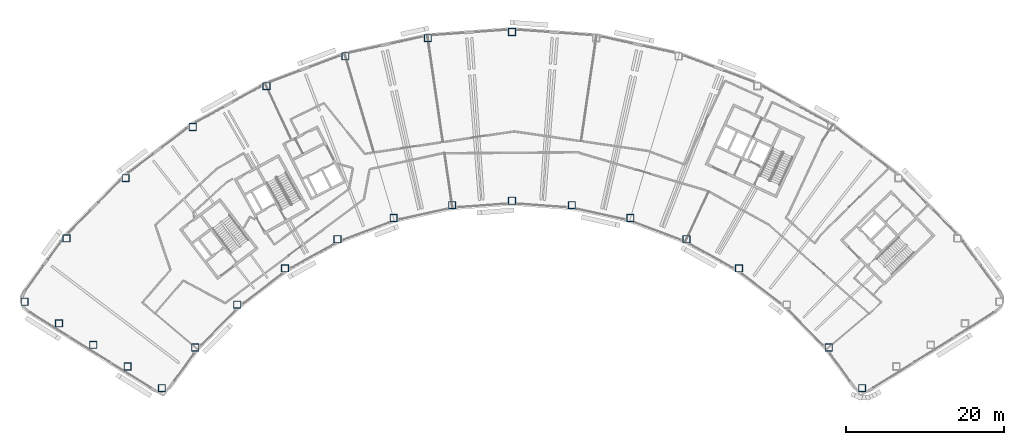
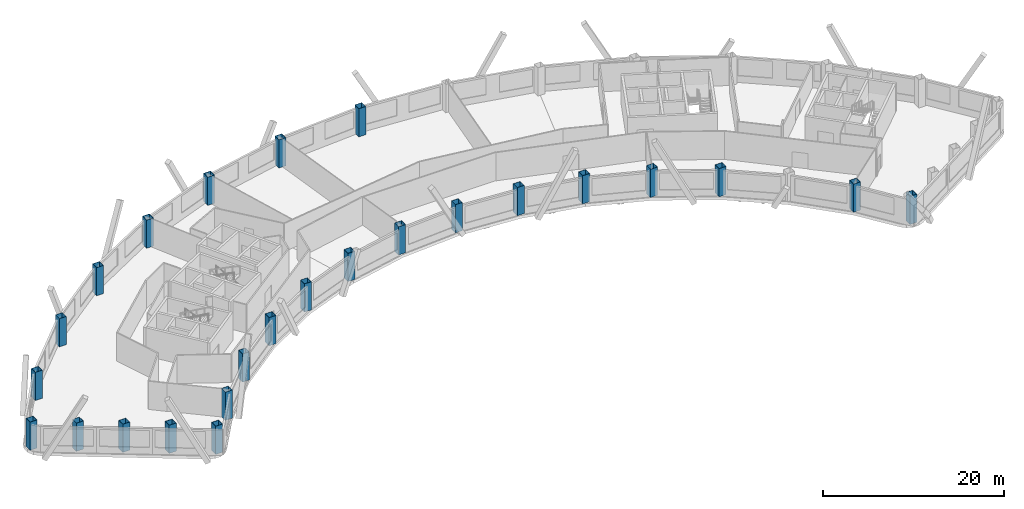
# One storey, part 1 of 12: 25 columns.
"""IFC4 building model written with IfcOpenShell, lengths in metres."""

import ifcopenshell
import ifcopenshell.guid

model = None  # the IFC model being written
_history = None  # IfcOwnerHistory: only IFC2X3 demands one
_inside = {}  # id of a spatial element -> (the spatial element, [elements in it])
_under = {}  # id of a project, library or spatial element -> (it, [spatial elements below it])
_declared = {}  # id of a project -> (the project, [libraries it declares])
_typed = {}  # id of a type object -> (the type object, [elements of that type])
_made_of = {}  # id of a material, layer set ... -> (it, [elements and type objects made of it])


def new_model(schema):
    """Start an empty IFC model of exactly this schema.

    Asked for "IFC4X3", IfcOpenShell would pick the latest addendum, in which some entities
    have other attributes; the version numbers below select the first issue.
    IFC2X3 requires an IfcOwnerHistory on every rooted entity: one is made here for all.
    """
    global model, _history
    if schema == "IFC4X3":
        model = ifcopenshell.file(schema_version=(4, 3, 0, 0))
    else:
        model = ifcopenshell.file(schema=schema)
    _inside.clear()
    _under.clear()
    _declared.clear()
    _typed.clear()
    _made_of.clear()
    _history = None
    if model.schema == "IFC2X3":
        org = make("IfcOrganization", Name="unknown")
        user = make(
            "IfcPersonAndOrganization",
            ThePerson=make("IfcPerson", FamilyName="unknown"),
            TheOrganization=org,
        )
        app = make(
            "IfcApplication",
            ApplicationDeveloper=org,
            Version="unknown",
            ApplicationFullName="unknown",
            ApplicationIdentifier="unknown",
        )
        _history = make(
            "IfcOwnerHistory",
            OwningUser=user,
            OwningApplication=app,
            ChangeAction="ADDED",
            CreationDate=0,
        )
    return model


def make(cls, **values):
    """One entity of the class cls with the attributes given. An attribute that is None is left unset."""
    return model.create_entity(
        cls, **{name: value for name, value in values.items() if value is not None}
    )


def rooted(cls, **values):
    """An entity with a GlobalId (a new one), such as an element, a storey or a relation."""
    return make(cls, GlobalId=ifcopenshell.guid.new(), OwnerHistory=_history, **values)


def si_unit(unit_type, name, prefix=None):
    """IfcSIUnit, for example si_unit("LENGTHUNIT", "METRE", prefix="MILLI")."""
    return make("IfcSIUnit", UnitType=unit_type, Prefix=prefix, Name=name)


def assignment(units):
    """IfcUnitAssignment: the units of a project."""
    return None if units is None else make("IfcUnitAssignment", Units=units)


def point(xyz):
    """IfcCartesianPoint."""
    return None if xyz is None else make("IfcCartesianPoint", Coordinates=xyz)


def direction(xyz):
    """IfcDirection."""
    return None if xyz is None else make("IfcDirection", DirectionRatios=xyz)


def frame(location, z_axis=None, x_axis=None):
    """IfcAxis2Placement3D, a coordinate frame: its origin and axes. An axis left out is left unset."""
    return make(
        "IfcAxis2Placement3D",
        Location=point(location),
        Axis=direction(z_axis),
        RefDirection=direction(x_axis),
    )


def frame_2d(location, x_axis=None):
    """IfcAxis2Placement2D, a coordinate frame in the plane: its origin and x axis."""
    return make(
        "IfcAxis2Placement2D", Location=point(location), RefDirection=direction(x_axis)
    )


def origin():
    """The frame at (0, 0, 0) with its axes left unset."""
    return frame((0.0, 0.0, 0.0))


def origin_2d():
    """The frame at (0, 0) in the plane with its x axis left unset."""
    return frame_2d((0.0, 0.0))


def place(relative_to, where):
    """IfcLocalPlacement: puts the frame where relative to a parent placement (None: the world)."""
    return make(
        "IfcLocalPlacement", PlacementRelTo=relative_to, RelativePlacement=where
    )


def context(
    kind, dimensions, precision=None, world=None, true_north=None, identifier=None
):
    """IfcGeometricRepresentationContext, for example the 3D "Model" context."""
    return make(
        "IfcGeometricRepresentationContext",
        ContextIdentifier=identifier,
        ContextType=kind,
        CoordinateSpaceDimension=dimensions,
        Precision=precision,
        WorldCoordinateSystem=world,
        TrueNorth=true_north,
    )


def subcontext(parent, identifier, kind, view, scale=None):
    """IfcGeometricRepresentationSubContext, for example "Body" below "Model"."""
    return make(
        "IfcGeometricRepresentationSubContext",
        ContextIdentifier=identifier,
        ContextType=kind,
        ParentContext=parent,
        TargetScale=scale,
        TargetView=view,
    )


def project(units=None, contexts=None):
    """IfcProject with its units and contexts."""
    return rooted(
        "IfcProject",
        Name="project",
        RepresentationContexts=contexts,
        UnitsInContext=assignment(units),
    )


def spatial(cls, under=None, at=None, **own):
    """A site, building, storey or space (cls), placed at a placement, below another one or the project."""
    s = rooted(cls, ObjectPlacement=at, **own)
    if under is not None:
        _under.setdefault(under.id(), (under, []))[1].append(s)
    return s


def profile(cls, at=None, kind="AREA", **sizes):
    """A parametric profile (cls). Its sizes go by their IFC names, for example OverallWidth=200.0."""
    return make(cls, ProfileType=kind, Position=at, **sizes)


def hollow_rectangle(**sizes):
    """IfcRectangleHollowProfileDef."""
    return profile("IfcRectangleHollowProfileDef", **sizes)


def extrude(swept, where, along, depth):
    """IfcExtrudedAreaSolid: the profile swept, set in the frame where, extruded along a direction by depth."""
    return make(
        "IfcExtrudedAreaSolid",
        SweptArea=swept,
        Position=where,
        ExtrudedDirection=direction(along),
        Depth=depth,
    )


def shape(context_of_items, identifier, shape_type, items):
    """IfcShapeRepresentation: the items that make up one representation, for example the "Body"."""
    return make(
        "IfcShapeRepresentation",
        ContextOfItems=context_of_items,
        RepresentationIdentifier=identifier,
        RepresentationType=shape_type,
        Items=items,
    )


def material(Name=None, Category=None):
    """IfcMaterial."""
    return make("IfcMaterial", Name=Name, Category=Category)


def material_profile(
    of_material, cross_section, Name=None, Category=None, Priority=None
):
    """IfcMaterialProfile: a cross section and its material."""
    return make(
        "IfcMaterialProfile",
        Name=Name,
        Material=of_material,
        Profile=cross_section,
        Priority=Priority,
        Category=Category,
    )


def profile_set(profiles, Name=None, composite=None):
    """IfcMaterialProfileSet."""
    return make(
        "IfcMaterialProfileSet",
        Name=Name,
        MaterialProfiles=profiles,
        CompositeProfile=composite,
    )


def made_of(thing, what):
    """Note that an element or type object is made of a material, layer set ...; save() writes the relation."""
    if what is not None:
        _made_of.setdefault(what.id(), (what, []))[1].append(thing)
    return thing


def type_object(cls, material=None, **own):
    """A type object (cls), such as IfcWallType, which elements share."""
    return made_of(rooted(cls, **own), material)


def element(
    cls,
    number,
    at=None,
    inside=None,
    cuts=None,
    type_object=None,
    material=None,
    context=None,
    identifier="Body",
    shape_type=None,
    held_by="IfcProductDefinitionShape",
    body=None,
    shapes=None,
    **own,
):
    """One element of the class cls, such as IfcWall. Its Tag is "e" and its number.

    at: its placement. inside: the storey or other place that contains it. cuts: it is an
    opening in that element (IfcRelVoidsElement). A single representation is given by context,
    identifier, shape_type and body (its items); several are given by shapes. held_by: the class
    of the entity that holds the representations. save() writes the other relations.
    """
    e = rooted(cls, Tag="e%d" % number, ObjectPlacement=at, **own)
    if body is not None:
        shapes = [shape(context, identifier, shape_type, body)]
    if shapes is not None:
        e.Representation = make(held_by, Representations=shapes)
    if inside is not None:
        _inside.setdefault(inside.id(), (inside, []))[1].append(e)
    if cuts is not None:
        rooted(
            "IfcRelVoidsElement", RelatingBuildingElement=cuts, RelatedOpeningElement=e
        )
    if type_object is not None:
        _typed.setdefault(type_object.id(), (type_object, []))[1].append(e)
    return made_of(e, material)


def aggregate(whole, parts):
    """IfcRelAggregates: a whole, such as a stair, and the parts it consists of."""
    return rooted("IfcRelAggregates", RelatingObject=whole, RelatedObjects=parts)


def save(model, path):
    """Write the relations noted so far, then the file.

    IfcRelAggregates (storeys below a building ...), IfcRelContainedInSpatialStructure (elements
    in a storey), IfcRelDefinesByType, IfcRelAssociatesMaterial and IfcRelDeclares: one each for
    every whole, place, type object, material and project.
    """
    for whole, parts in _under.values():
        aggregate(whole, parts)
    for where, things in _inside.values():
        rooted(
            "IfcRelContainedInSpatialStructure",
            RelatedElements=things,
            RelatingStructure=where,
        )
    for kind, things in _typed.values():
        rooted("IfcRelDefinesByType", RelatedObjects=things, RelatingType=kind)
    for what, things in _made_of.values():
        rooted("IfcRelAssociatesMaterial", RelatedObjects=things, RelatingMaterial=what)
    for by, libraries in _declared.values():
        rooted("IfcRelDeclares", RelatingContext=by, RelatedDefinitions=libraries)
    model.write(path)


model = new_model("IFC4")

# Units and contexts
model_context = context("Model", 3, precision=1e-05, world=origin(), true_north=direction((0.0, 1.0)))
body_context = subcontext(model_context, "Body", "Model", "MODEL_VIEW")
ifc_project = project(units=[si_unit("LENGTHUNIT", "METRE"), si_unit("AREAUNIT", "SQUARE_METRE"), si_unit("VOLUMEUNIT", "CUBIC_METRE"), si_unit("PLANEANGLEUNIT", "RADIAN"), si_unit("MASSUNIT", "GRAM", prefix="KILO")], contexts=[model_context])

# Site, building, storey
site_placement = place(None, origin())
site = spatial("IfcSite", under=ifc_project, at=site_placement, CompositionType="ELEMENT")
building_placement = place(site_placement, origin())
building = spatial("IfcBuilding", under=site, at=building_placement, Name="Tuul Gate Civic Tower", CompositionType="ELEMENT")
storey_placement = place(building_placement, frame((0.0, 0.0, 172.10009765625)))
storey = spatial("IfcBuildingStorey", under=building, at=storey_placement, Name="Level 39", CompositionType="ELEMENT", Elevation=172.10009765625)

# Columns
ifc_material = material(Name="Steel S355", Category="steel")
ifc_material_profile = material_profile(ifc_material, hollow_rectangle(XDim=0.89990234375, YDim=0.89990234375, WallThickness=0.031982421875, at=origin_2d()), Name="BOX900x900x32")
ifc_profile_set = profile_set([ifc_material_profile], Name="Steel S355")
column_type = type_object("IfcColumnType", Name="STR-COLUMN-BOX900x900x32", PredefinedType="COLUMN", material=ifc_profile_set)
for number, where, z_axis, x_axis, name in (
    (1, (0.989990234375, 13.615966796875, 0.0), (0.0, 0.0, 1.0), (1.0, 0.0, 0.0), "Column"),
    (2, (-9.659912109375, 12.843994140625, 0.0), (0.0, 0.0, 1.0), (1.0, 0.0, 0.0), "Column"),
    (3, (-20.0869140625, 10.5458984375, 0.0), (0.0, 0.0, 1.0), (1.0, 0.0, 0.0), "Column"),
    (4, (-30.073974609375, 6.77001953125, 0.0), (0.0, 0.0, 1.0), (1.0, 0.0, 0.0), "Column"),
    (5, (-39.412109375, 1.593017578125, 0.0), (0.0, 0.0, 1.0), (1.0, 0.0, 0.0), "Column"),
    (6, (-47.907958984375, -4.875, 0.0), (0.0, 0.0, 1.0), (1.0, 0.0, 0.0), "Column"),
    (7, (-55.382080078125, -12.5, 0.0), (0.0, 0.0, 1.0), (1.0, 0.0, 0.0), "Column"),
    (8, (-60.680908203125, -20.512939453125, 0.0), (0.0, 0.0, 1.0), (1.0, 0.0, 0.0), "Column"),
    (9, (-56.339111328125, -23.2470703125, 0.0), (0.0, 0.0, 1.0), (1.0, 0.0, 0.0), "Column"),
    (10, (-51.99609375, -25.98193359375, 0.0), (0.0, 0.0, 1.0), (1.0, 0.0, 0.0), "Column"),
    (11, (-47.654052734375, -28.716064453125, 0.0), (0.0, 0.0, 1.0), (1.0, 0.0, 0.0), "Column"),
    (12, (-43.31103515625, -31.450927734375, 0.0), (0.0, 0.0, 1.0), (1.0, 0.0, 0.0), "Column"),
    (13, (-39.091064453125, -26.30908203125, 0.0), (0.0, 0.0, 1.0), (1.0, 0.0, 0.0), "Column"),
    (14, (-33.777099609375, -20.886962890625, 0.0), (0.0, 0.0, 1.0), (1.0, 0.0, 0.0), "Column"),
    (15, (-27.737060546875, -16.2880859375, 0.0), (0.0, 0.0, 1.0), (1.0, 0.0, 0.0), "Column"),
    (16, (-21.096923828125, -12.60791015625, 0.0), (0.0, 0.0, 1.0), (1.0, 0.0, 0.0), "Column"),
    (17, (-13.99609375, -9.923095703125, 0.0), (0.0, 0.0, 1.0), (1.0, 0.0, 0.0), "Column"),
    (18, (-6.58203125, -8.2890625, 0.0), (0.0, 0.0, 1.0), (1.0, 0.0, 0.0), "Column"),
    (19, (0.989990234375, -7.739990234375, 0.0), (0.0, 0.0, 1.0), (1.0, 0.0, 0.0), "Column"),
    (20, (8.56201171875, -8.2890625, 0.0), (0.0, 0.0, 1.0), (1.0, 0.0, 0.0), "Column"),
    (21, (15.97607421875, -9.923095703125, 0.0), (0.0, 0.0, 1.0), (1.0, 0.0, 0.0), "Column"),
    (22, (23.076904296875, -12.60791015625, 0.0), (0.0, 0.0, 1.0), (1.0, 0.0, 0.0), "Column"),
    (23, (29.716064453125, -16.2880859375, 0.0), (0.0, 0.0, 1.0), (1.0, 0.0, 0.0), "Column"),
    (24, (41.071044921875, -26.30908203125, 0.0), (0.0, 0.0, 1.0), (1.0, 0.0, 0.0), "Column"),
    (25, (45.291015625, -31.450927734375, 0.0), (0.0, 0.0, 1.0), (1.0, 0.0, 0.0), "Column"),
):
    element("IfcColumn", number, at=place(storey_placement, frame(where, z_axis=z_axis, x_axis=x_axis)), inside=storey, type_object=column_type, Name=name, PredefinedType="COLUMN", context=body_context, shape_type="SweptSolid", body=[
        extrude(hollow_rectangle(XDim=0.89990234375, YDim=0.89990234375, WallThickness=0.031982421875, at=origin_2d()), origin(), (0.0, 0.0, 1.0), 3.7998046875),
    ])

save(model, "model.ifc")
